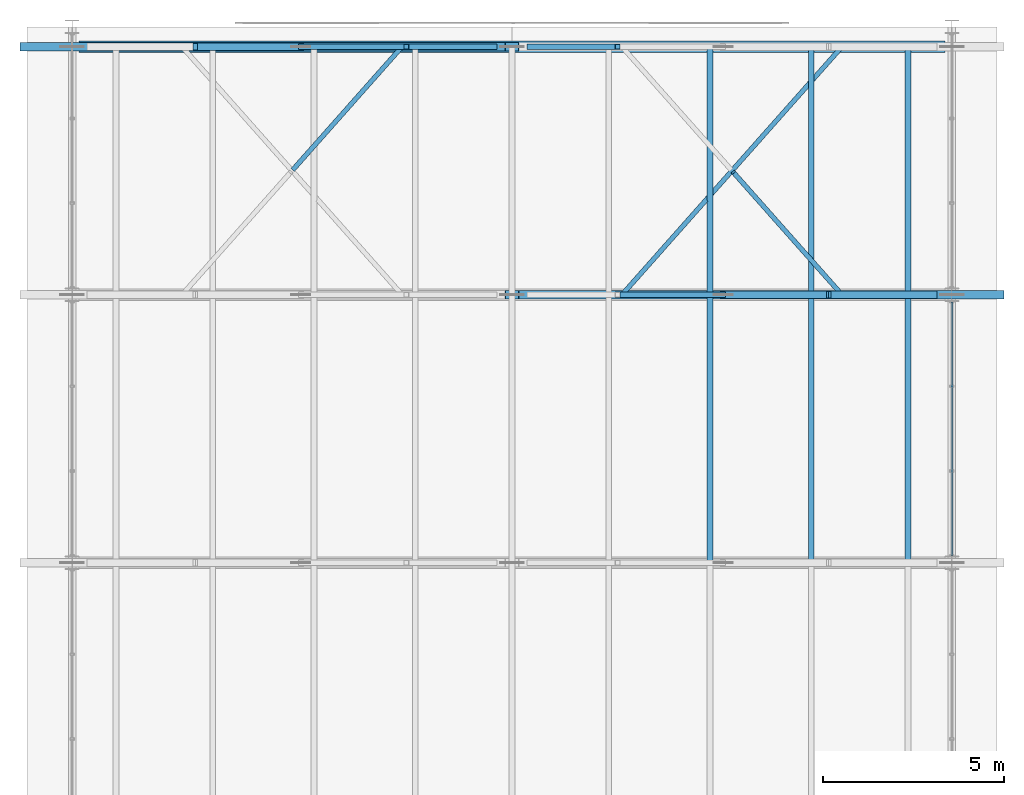
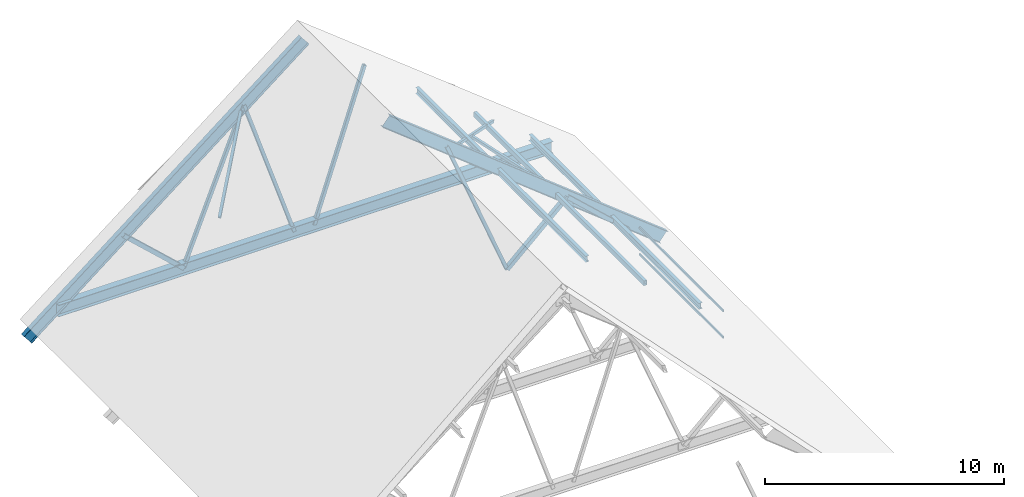
# One storey, part 37 of 44: 19 members, 2 beams, 1 element without a shape of its own.
"""IFC4 building model written with IfcOpenShell, lengths in metres."""

from ifc_helpers import new_model, si_unit, direction, frame, origin, origin_2d, place, context, subcontext, project, spatial, hollow_rectangle, i_section, extrude, material, material_profile, profile_set, type_object, element, aggregate, save


model = new_model("IFC4")

# Units and contexts
model_context = context("Model", 3, precision=1e-05, world=origin(), true_north=direction((0.0, 1.0)))
body_context = subcontext(model_context, "Body", "Model", "MODEL_VIEW")
ifc_project = project(units=[si_unit("LENGTHUNIT", "METRE"), si_unit("AREAUNIT", "SQUARE_METRE"), si_unit("VOLUMEUNIT", "CUBIC_METRE"), si_unit("PLANEANGLEUNIT", "RADIAN"), si_unit("MASSUNIT", "GRAM", prefix="KILO")], contexts=[model_context])

# Site, building, storey
site_placement = place(None, origin())
site = spatial("IfcSite", under=ifc_project, at=site_placement, CompositionType="ELEMENT")
building_placement = place(site_placement, origin())
building = spatial("IfcBuilding", under=site, at=building_placement, Name="Cimatlan Art Gallery", CompositionType="ELEMENT")
storey_placement = place(building_placement, frame((0.0, 0.0, 26.39990234375)))
storey = spatial("IfcBuildingStorey", under=building, at=storey_placement, Name="Roof", CompositionType="ELEMENT", Elevation=26.39990234375)

# Beams
ifc_material_1 = material(Name="Steel ASTM A992 Grade 50", Category="steel")
ifc_material_profile_1 = material_profile(ifc_material_1, i_section(OverallWidth=0.22802734375, OverallDepth=0.60791015625, WebThickness=0.01123046875, FlangeThickness=0.017333984375, at=origin_2d()), Name="W24X76")
ifc_profile_set_1 = profile_set([ifc_material_profile_1], Name="Steel ASTM A992 Grade 50")
beam_type = type_object("IfcBeamType", Name="BM-TRS-RAF", PredefinedType="BEAM", material=ifc_profile_set_1)
beam_1_placement = place(storey_placement, frame((87.050048828125, 75.699951171875, 11.0), z_axis=(0.784632771217, 0.0, -0.619960816772), x_axis=(0.0, 1.0, 0.0)))
element("IfcBeam", 1, at=beam_1_placement, inside=storey, type_object=beam_type, Name="TRS-08-RAF-E", PredefinedType="BEAM", context=body_context, shape_type="SweptSolid", body=[
    extrude(i_section(OverallWidth=0.22802734375, OverallDepth=0.60791015625, WebThickness=0.01123046875, FlangeThickness=0.017333984375, at=origin_2d()), origin(), (0.0, 0.0, 1.0), 17.077880859375),
])
beam_2_placement = place(storey_placement, frame((73.64990234375, 82.550048828125, 0.412353515625), z_axis=(0.78463826569, 0.0, 0.619953862812), x_axis=(0.0, 1.0, 0.0)))
element("IfcBeam", 2, at=beam_2_placement, inside=storey, type_object=beam_type, Name="TRS-09-RAF-W", PredefinedType="BEAM", context=body_context, shape_type="SweptSolid", body=[
    extrude(i_section(OverallWidth=0.22802734375, OverallDepth=0.60791015625, WebThickness=0.01123046875, FlangeThickness=0.017333984375, at=origin_2d()), origin(), (0.0, 0.0, 1.0), 17.078125),
])

# Curtain wall, members
ifc_material_2 = material(Name="Anodised bronze unitised curtain wall")
curtain_wall_type = type_object("IfcCurtainWallType", Name="CW-V-07010X01450-B3", PredefinedType="NOTDEFINED", material=ifc_material_2)
curtain_wall_placement = place(storey_placement, origin())
curtain_wall = element("IfcCurtainWall", 3, at=curtain_wall_placement, inside=storey, type_object=curtain_wall_type, Name="CW-CRW-E-09", PredefinedType="NOTDEFINED")
ifc_material_3 = material(Name="Anodised bronze aluminium 6063-T6", Category="aluminium")
ifc_material_profile_2 = material_profile(ifc_material_3, hollow_rectangle(XDim=0.06005859375, YDim=0.110107421875, WallThickness=0.00341796875, at=origin_2d()), Name="ALU60X110X3")
ifc_profile_set_2 = profile_set([ifc_material_profile_2], Name="Anodised bronze aluminium 6063-T6")
member_type_1 = type_object("IfcMemberType", Name="CW-TRN-110", PredefinedType="USERDEFINED", material=ifc_profile_set_2)
member_1_placement = place(storey_placement, frame((99.199951171875, 75.5048828125, 0.050048828125), z_axis=(0.0, -1.0, 0.0), x_axis=(1.0, 0.0, 0.0)))
member_1 = element("IfcMember", 4, at=member_1_placement, type_object=member_type_1, Name="CW-CRW-E-09-T1", ObjectType="TRANSOM", PredefinedType="USERDEFINED", context=body_context, shape_type="SweptSolid", body=[
    extrude(hollow_rectangle(XDim=0.06005859375, YDim=0.110107421875, WallThickness=0.00341796875, at=origin_2d()), origin(), (0.0, 0.0, 1.0), 7.009765625),
])
member_2_placement = place(storey_placement, frame((99.199951171875, 75.5048828125, 1.400146484375), z_axis=(0.0, -1.0, 0.0), x_axis=(1.0, 0.0, 0.0)))
member_2 = element("IfcMember", 5, at=member_2_placement, type_object=member_type_1, Name="CW-CRW-E-09-T2", ObjectType="TRANSOM", PredefinedType="USERDEFINED", context=body_context, shape_type="SweptSolid", body=[
    extrude(hollow_rectangle(XDim=0.06005859375, YDim=0.110107421875, WallThickness=0.00341796875, at=origin_2d()), origin(), (0.0, 0.0, 1.0), 7.009765625),
])
aggregate(curtain_wall, [member_1, member_2])

# Members
ifc_material_4 = material(Name="Steel ASTM A500 Grade C", Category="steel")
ifc_material_profile_3 = material_profile(ifc_material_4, hollow_rectangle(XDim=0.14990234375, YDim=0.25, WallThickness=0.010009765625, at=origin_2d()), Name="HSS250X150X10")
ifc_profile_set_3 = profile_set([ifc_material_profile_3], Name="Steel ASTM A500 Grade C")
member_type_2 = type_object("IfcMemberType", Name="MBR-PUR-C250", PredefinedType="PURLIN", material=ifc_profile_set_3)
member_3_placement = place(storey_placement, frame((95.31201171875, 68.300048828125, 4.31201171875), z_axis=(0.0, 1.0, 0.0), x_axis=(-1.0, 0.0, 0.0)))
element("IfcMember", 6, at=member_3_placement, inside=storey, type_object=member_type_2, Name="PUR-V1-B7-E3", PredefinedType="PURLIN", context=body_context, shape_type="SweptSolid", body=[
    extrude(hollow_rectangle(XDim=0.14990234375, YDim=0.25, WallThickness=0.010009765625, at=origin_2d()), origin(), (0.0, 0.0, 1.0), 7.39990234375),
])
member_4_placement = place(storey_placement, frame((95.31201171875, 75.699951171875, 4.31201171875), z_axis=(0.0, 1.0, 0.0), x_axis=(-1.0, 0.0, 0.0)))
element("IfcMember", 7, at=member_4_placement, inside=storey, type_object=member_type_2, Name="PUR-V1-B8-E3", PredefinedType="PURLIN", context=body_context, shape_type="SweptSolid", body=[
    extrude(hollow_rectangle(XDim=0.14990234375, YDim=0.25, WallThickness=0.010009765625, at=origin_2d()), origin(), (0.0, 0.0, 1.0), 6.85009765625),
])
ifc_material_profile_4 = material_profile(ifc_material_1, i_section(OverallWidth=0.1650390625, OverallDepth=0.31005859375, WebThickness=0.005859375, FlangeThickness=0.009765625, at=origin_2d()), Name="W12X26")
ifc_profile_set_4 = profile_set([ifc_material_profile_4], Name="Steel ASTM A992 Grade 50")
member_type_3 = type_object("IfcMemberType", Name="MBR-PUR-W12", PredefinedType="PURLIN", material=ifc_profile_set_4)
for number, where, z_axis, x_axis, name in (
    (8, (92.517578125, 68.300048828125, 6.52001953125), (0.0, 1.0, 0.0), (-1.0, 0.0, 0.0), "PUR-V1-B7-E2"),
    (9, (97.985107421875, 68.300048828125, 2.2001953125), (0.0, 1.0, 0.0), (-1.0, 0.0, 0.0), "PUR-V1-B7-E4"),
):
    element("IfcMember", number, at=place(storey_placement, frame(where, z_axis=z_axis, x_axis=x_axis)), inside=storey, type_object=member_type_3, Name=name, PredefinedType="PURLIN", context=body_context, shape_type="SweptSolid", body=[
        extrude(i_section(OverallWidth=0.1650390625, OverallDepth=0.31005859375, WebThickness=0.005859375, FlangeThickness=0.009765625, at=origin_2d()), origin(), (0.0, 0.0, 1.0), 7.39990234375),
    ])
for number, where, z_axis, x_axis, name in (
    (10, (92.517578125, 75.699951171875, 6.52001953125), (0.0, 1.0, 0.0), (-1.0, 0.0, 0.0), "PUR-V1-B8-E2"),
    (11, (97.985107421875, 75.699951171875, 2.2001953125), (0.0, 1.0, 0.0), (-1.0, 0.0, 0.0), "PUR-V1-B8-E4"),
):
    element("IfcMember", number, at=place(storey_placement, frame(where, z_axis=z_axis, x_axis=x_axis)), inside=storey, type_object=member_type_3, Name=name, PredefinedType="PURLIN", context=body_context, shape_type="SweptSolid", body=[
        extrude(i_section(OverallWidth=0.1650390625, OverallDepth=0.31005859375, WebThickness=0.005859375, FlangeThickness=0.009765625, at=origin_2d()), origin(), (0.0, 0.0, 1.0), 6.85009765625),
    ])
ifc_material_profile_5 = material_profile(ifc_material_4, hollow_rectangle(XDim=0.1298828125, YDim=0.1298828125, WallThickness=0.008056640625, at=origin_2d()), Name="HSS130X130X8")
ifc_profile_set_5 = profile_set([ifc_material_profile_5], Name="Steel ASTM A500 Grade C")
member_type_4 = type_object("IfcMemberType", Name="MBR-TRS-BRACE", PredefinedType="BRACE", material=ifc_profile_set_5)
member_5_placement = place(storey_placement, frame((81.012939453125, 79.16796875, 6.070068359375), z_axis=(0.587654089215, 0.662605575281, 0.464345262746), x_axis=(-0.748153767817, 0.663525387382, 0.0)))
element("IfcMember", 12, at=member_5_placement, inside=storey, type_object=member_type_4, Name="BRC-V1-B8-W2B", PredefinedType="BRACE", context=body_context, shape_type="SweptSolid", body=[
    extrude(hollow_rectangle(XDim=0.1298828125, YDim=0.1298828125, WallThickness=0.008056640625, at=origin_2d()), origin(), (0.0, 0.0, 1.0), 5.104248046875),
])
member_6_placement = place(storey_placement, frame((90.08740234375, 75.699951171875, 8.440185546875), z_axis=(0.587662065321, 0.662619443369, -0.464315378005), x_axis=(-0.748156191013, 0.663522655113, 0.0)))
element("IfcMember", 13, at=member_6_placement, inside=storey, type_object=member_type_4, Name="BRC-V1-B8-E1", PredefinedType="BRACE", context=body_context, shape_type="SweptSolid", body=[
    extrude(hollow_rectangle(XDim=0.1298828125, YDim=0.1298828125, WallThickness=0.008056640625, at=origin_2d()), origin(), (0.0, 0.0, 1.0), 10.337890625),
])
member_7_placement = place(storey_placement, frame((96.16259765625, 75.699951171875, 3.64013671875), z_axis=(-0.587667140887, 0.662620291609, 0.464307743496), x_axis=(-0.748153767817, -0.663525387382, 0.0)))
element("IfcMember", 14, at=member_7_placement, inside=storey, type_object=member_type_4, Name="BRC-V1-B8-E2A", PredefinedType="BRACE", context=body_context, shape_type="SweptSolid", body=[
    extrude(hollow_rectangle(XDim=0.1298828125, YDim=0.1298828125, WallThickness=0.008056640625, at=origin_2d()), origin(), (0.0, 0.0, 1.0), 5.10400390625),
])
ifc_material_profile_6 = material_profile(ifc_material_4, hollow_rectangle(XDim=0.199951171875, YDim=0.199951171875, WallThickness=0.010009765625, at=origin_2d()), Name="HSS200X200X10")
ifc_profile_set_6 = profile_set([ifc_material_profile_6], Name="Steel ASTM A500 Grade C")
member_type_5 = type_object("IfcMemberType", Name="MBR-TRS-DIAG-1", PredefinedType="BRACE", material=ifc_profile_set_6)
for number, where, z_axis, x_axis, name in (
    (15, (98.714111328125, 75.699951171875, 1.400146484375), (-0.735270574228, 0.0, 0.677773695768), (0.0, -1.0, 0.0), "TRS-08-DE-1"),
    (16, (95.798095703125, 75.699951171875, 4.088134765625), (-0.735270574228, 0.0, -0.677773695768), (0.0, -1.0, 0.0), "TRS-08-DE-2"),
    (17, (78.302001953125, 82.550048828125, 4.088134765625), (0.735270574228, 0.0, -0.677773695768), (0.0, 1.0, 0.0), "TRS-09-DW-2"),
):
    element("IfcMember", number, at=place(storey_placement, frame(where, z_axis=z_axis, x_axis=x_axis)), inside=storey, type_object=member_type_5, Name=name, PredefinedType="BRACE", context=body_context, shape_type="SweptSolid", body=[
        extrude(hollow_rectangle(XDim=0.199951171875, YDim=0.199951171875, WallThickness=0.010009765625, at=origin_2d()), origin(), (0.0, 0.0, 1.0), 3.9658203125),
    ])
ifc_material_profile_7 = material_profile(ifc_material_4, hollow_rectangle(XDim=0.14990234375, YDim=0.14990234375, WallThickness=0.008056640625, at=origin_2d()), Name="HSS150X150X8")
ifc_profile_set_7 = profile_set([ifc_material_profile_7], Name="Steel ASTM A500 Grade C")
member_type_6 = type_object("IfcMemberType", Name="MBR-TRS-DIAG-2", PredefinedType="BRACE", material=ifc_profile_set_7)
for number, where, z_axis, x_axis, name in (
    (18, (92.882080078125, 75.699951171875, 1.400146484375), (-0.371133507913, 0.0, 0.928579516953), (0.0, -1.0, 0.0), "TRS-08-DE-3"),
    (19, (81.218017578125, 82.550048828125, 1.400146484375), (0.371133507913, 0.0, 0.928579516953), (0.0, 1.0, 0.0), "TRS-09-DW-3"),
):
    element("IfcMember", number, at=place(storey_placement, frame(where, z_axis=z_axis, x_axis=x_axis)), inside=storey, type_object=member_type_6, Name=name, PredefinedType="BRACE", context=body_context, shape_type="SweptSolid", body=[
        extrude(hollow_rectangle(XDim=0.14990234375, YDim=0.14990234375, WallThickness=0.008056640625, at=origin_2d()), origin(), (0.0, 0.0, 1.0), 7.85693359375),
    ])
for number, where, z_axis, x_axis, name in (
    (20, (84.134033203125, 82.550048828125, 8.696044921875), (0.315989644699, 0.0, -0.948762638621), (0.0, 1.0, 0.0), "TRS-09-DW-4"),
    (21, (89.966064453125, 82.550048828125, 8.696044921875), (-0.316018222412, 0.0, -0.948753120208), (0.0, -1.0, 0.0), "TRS-09-DE-4"),
):
    element("IfcMember", number, at=place(storey_placement, frame(where, z_axis=z_axis, x_axis=x_axis)), inside=storey, type_object=member_type_6, Name=name, PredefinedType="BRACE", context=body_context, shape_type="SweptSolid", body=[
        extrude(hollow_rectangle(XDim=0.14990234375, YDim=0.14990234375, WallThickness=0.008056640625, at=origin_2d()), origin(), (0.0, 0.0, 1.0), 7.68994140625),
    ])
ifc_material_profile_8 = material_profile(ifc_material_1, i_section(OverallWidth=0.323974609375, OverallDepth=0.611083984375, WebThickness=0.0126953125, FlangeThickness=0.01904296875, at=origin_2d()), Name="W24X104")
ifc_profile_set_8 = profile_set([ifc_material_profile_8], Name="Steel ASTM A992 Grade 50")
member_type_7 = type_object("IfcMemberType", Name="MBR-TRS-TIE", PredefinedType="CHORD", material=ifc_profile_set_8)
member_8_placement = place(storey_placement, frame((75.096923828125, 82.550048828125, 1.400146484375), z_axis=(1.0, 0.0, 0.0), x_axis=(0.0, 1.0, 0.0)))
element("IfcMember", 22, at=member_8_placement, inside=storey, type_object=member_type_7, Name="TRS-09-TIE", PredefinedType="CHORD", context=body_context, shape_type="SweptSolid", body=[
    extrude(i_section(OverallWidth=0.323974609375, OverallDepth=0.611083984375, WebThickness=0.0126953125, FlangeThickness=0.01904296875, at=origin_2d()), origin(), (0.0, 0.0, 1.0), 23.906005859375),
])

save(model, "model.ifc")
